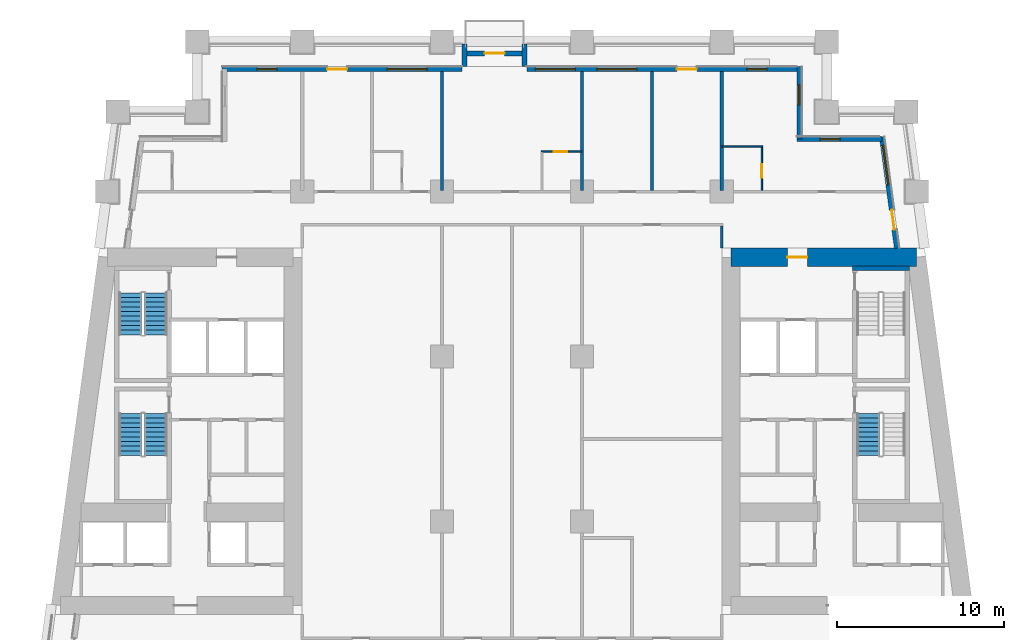
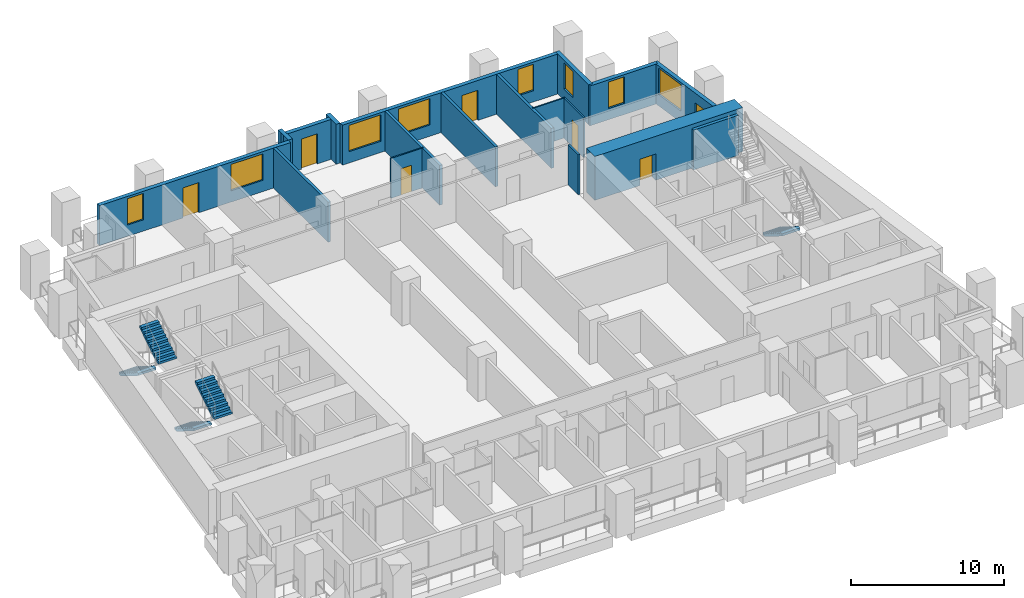
# One storey, part 7 of 13: 18 walls, 8 windows, 7 doors, 5 stair flights, 15 openings, 3 elements without a shape of their own.
"""IFC4 building model written with IfcOpenShell, lengths in metres."""

from ifc_helpers import new_model, si_unit, direction, frame, frame_2d, origin, place, context, subcontext, project, spatial, polyline, rectangle, outline, extrude, material, layer, layer_set, type_object, element, fill, aggregate, save


model = new_model("IFC4")

# Units and contexts
model_context = context("Model", 3, precision=1e-05, world=origin(), true_north=direction((0.0, 1.0)))
body_context = subcontext(model_context, "Body", "Model", "MODEL_VIEW")
ifc_project = project(units=[si_unit("LENGTHUNIT", "METRE"), si_unit("AREAUNIT", "SQUARE_METRE"), si_unit("VOLUMEUNIT", "CUBIC_METRE"), si_unit("PLANEANGLEUNIT", "RADIAN"), si_unit("MASSUNIT", "GRAM", prefix="KILO")], contexts=[model_context])

# Site, building, storey
site_placement = place(None, origin())
site = spatial("IfcSite", under=ifc_project, at=site_placement, CompositionType="ELEMENT")
building_placement = place(site_placement, origin())
building = spatial("IfcBuilding", under=site, at=building_placement, Name="Candeia Pilgrim Tower and Theatre", CompositionType="ELEMENT")
storey_placement = place(building_placement, frame((0.0, 0.0, 67.0)))
storey = spatial("IfcBuildingStorey", under=building, at=storey_placement, Name="L14", CompositionType="ELEMENT", Elevation=67.0)

# Wall, opening, door
ifc_material_1 = material(Name="Concrete C80/95", Category="concrete")
ifc_layer_1 = layer(ifc_material_1, 1.10009765625)
ifc_layer_set_1 = layer_set([ifc_layer_1], Name="Core wall 1100 C80/95")
wall_type_1 = type_object("IfcWallType", Name="Core wall 1100 C80/95", PredefinedType="SHEAR", material=ifc_layer_set_1)
wall_1_placement = place(storey_placement, frame((126.550048828125, 131.85009765625, 0.0), z_axis=(0.0, 0.0, 1.0), x_axis=(1.0, 0.0, 0.0)))
wall_1 = element("IfcWall", 1, at=wall_1_placement, inside=storey, type_object=wall_type_1, Name="Core wall E1", PredefinedType="SHEAR", context=body_context, shape_type="SweptSolid", body=[
    extrude(rectangle(XDim=11.13818359375, YDim=1.10009765625, at=frame_2d((5.569091796875, 0.0))), origin(), (0.0, 0.0, 1.0), 3.5),
])
opening_1_placement = place(wall_1_placement, frame((3.386474609375, 0.0, 0.0)))
opening_1 = element("IfcOpeningElement", 2, at=opening_1_placement, cuts=wall_1, Name="Opening L14-D057", PredefinedType="OPENING", context=body_context, shape_type="SweptSolid", body=[
    extrude(rectangle(XDim=1.199951171875, YDim=2.10009765625, at=frame_2d((0.60009765625, 1.050048828125))), frame((0.0, 0.56005859375, 0.0), z_axis=(0.0, -1.0, 0.0), x_axis=(1.0, 0.0, 0.0)), (0.0, 0.0, 1.0), 1.1201171875),
])
ifc_material_2 = material(Name="Steel fire door set", Category="steel")
door_type_1 = type_object("IfcDoorType", Name="D-1200-FD60", OperationType="NOTDEFINED", PredefinedType="DOOR", material=ifc_material_2)
door_1_placement = place(opening_1_placement, origin())
door_1 = element("IfcDoor", 3, at=door_1_placement, inside=storey, type_object=door_type_1, Name="Door L14-D057", OperationType="SINGLE_SWING_LEFT", OverallHeight=2.10009765625, OverallWidth=1.199951171875, PredefinedType="DOOR", context=body_context, shape_type="SweptSolid", body=[
    extrude(rectangle(XDim=1.199951171875, YDim=2.10009765625, at=frame_2d((0.60009765625, 1.050048828125))), frame((0.0, 0.02490234375, 0.0), z_axis=(0.0, -1.0, 0.0), x_axis=(1.0, 0.0, 0.0)), (0.0, 0.0, 1.0), 0.050048828125),
])
fill(opening_1, door_1)

# Wall, openings, door, window
ifc_material_3 = material(Name="Ceramic block masonry", Category="masonry")
ifc_layer_2 = layer(ifc_material_3, 0.300048828125)
ifc_layer_set_2 = layer_set([ifc_layer_2], Name="EW1 glazing-line wall 300")
wall_type_2 = type_object("IfcWallType", Name="EW1 glazing-line wall 300", PredefinedType="SOLIDWALL", material=ifc_layer_set_2)
wall_2_placement = place(storey_placement, frame((136.50439453125, 132.39990234375, 0.0), z_axis=(0.0, 0.0, 1.0), x_axis=(-0.133399697462, 0.99106231929, 0.0)))
wall_2 = element("IfcWall", 4, at=wall_2_placement, inside=storey, type_object=wall_type_2, Name="External wall L14-3.1", PredefinedType="SOLIDWALL", context=body_context, shape_type="SweptSolid", body=[
    extrude(rectangle(XDim=6.740478515625, YDim=0.300048828125, at=frame_2d((3.3701171875, 0.0))), origin(), (0.0, 0.0, 1.0), 3.179931640625),
])
opening_2_placement = place(wall_2_placement, frame((1.115234375, 0.0, 0.0)))
opening_2 = element("IfcOpeningElement", 5, at=opening_2_placement, cuts=wall_2, Name="Opening L14-ED159", PredefinedType="OPENING", context=body_context, shape_type="SweptSolid", body=[
    extrude(rectangle(XDim=1.199951171875, YDim=2.39990234375, at=frame_2d((0.60009765625, 1.199951171875))), frame((0.0, 0.16015625, 0.0), z_axis=(0.0, -1.0, 0.0), x_axis=(1.0, 0.0, 0.0)), (0.0, 0.0, 1.0), 0.320068359375),
])
opening_3_placement = place(wall_2_placement, frame((3.83544921875, 0.0, 0.89990234375)))
opening_3 = element("IfcOpeningElement", 6, at=opening_3_placement, cuts=wall_2, Name="Opening W-A", PredefinedType="OPENING", context=body_context, shape_type="SweptSolid", body=[
    extrude(rectangle(XDim=2.39990234375, YDim=2.10009765625, at=frame_2d((1.199951171875, 1.050048828125))), frame((0.0, 0.16015625, 0.0), z_axis=(0.0, -1.0, 0.0), x_axis=(1.0, 0.0, 0.0)), (0.0, 0.0, 1.0), 0.320068359375),
])
ifc_material_4 = material(Name="Aluminium framed glazed door", Category="aluminium")
door_type_2 = type_object("IfcDoorType", Name="Loggia door 1200x2400", OperationType="DOUBLE_DOOR_SINGLE_SWING", PredefinedType="DOOR", material=ifc_material_4)
door_2_placement = place(opening_2_placement, origin())
door_2 = element("IfcDoor", 7, at=door_2_placement, inside=storey, type_object=door_type_2, Name="Loggia door L14-ED159", OperationType="DOUBLE_DOOR_SINGLE_SWING", OverallHeight=2.39990234375, OverallWidth=1.199951171875, PredefinedType="DOOR", context=body_context, shape_type="SweptSolid", body=[
    extrude(rectangle(XDim=1.199951171875, YDim=2.39990234375, at=frame_2d((0.60009765625, 1.199951171875))), frame((0.0, 0.02490234375, 0.0), z_axis=(0.0, -1.0, 0.0), x_axis=(1.0, 0.0, 0.0)), (0.0, 0.0, 1.0), 0.050048828125),
])
fill(opening_2, door_2)
ifc_material_5 = material(Name="Aluminium framed double glazing", Category="aluminium")
window_type_1 = type_object("IfcWindowType", Name="W-A window 2400x2100", PartitioningType="DOUBLE_PANEL_VERTICAL", PredefinedType="WINDOW", material=ifc_material_5)
window_1_placement = place(opening_3_placement, origin())
window_1 = element("IfcWindow", 8, at=window_1_placement, inside=storey, type_object=window_type_1, Name="Window W-A L14", OverallHeight=2.10009765625, OverallWidth=2.39990234375, PartitioningType="SINGLE_PANEL", PredefinedType="WINDOW", context=body_context, shape_type="SweptSolid", body=[
    extrude(rectangle(XDim=2.39990234375, YDim=2.10009765625, at=frame_2d((1.199951171875, 1.050048828125))), frame((0.0, 0.030029296875, 0.0), z_axis=(0.0, -1.0, 0.0), x_axis=(1.0, 0.0, 0.0)), (0.0, 0.0, 1.0), 0.06005859375),
])
fill(opening_3, window_1)

# Wall, opening, window
wall_3_placement = place(storey_placement, frame((135.62255859375, 138.949951171875, 0.0), z_axis=(0.0, 0.0, 1.0), x_axis=(-1.0, 0.0, 0.0)))
wall_3 = element("IfcWall", 9, at=wall_3_placement, inside=storey, type_object=wall_type_2, Name="External wall L14-4.0", PredefinedType="SOLIDWALL", context=body_context, shape_type="SweptSolid", body=[
    extrude(rectangle(XDim=5.12255859375, YDim=0.300048828125, at=frame_2d((2.561279296875, 0.0))), origin(), (0.0, 0.0, 1.0), 3.179931640625),
])
opening_4_placement = place(wall_3_placement, frame((2.522705078125, 0.0, 0.89990234375)))
opening_4 = element("IfcOpeningElement", 10, at=opening_4_placement, cuts=wall_3, Name="Opening W-B", PredefinedType="OPENING", context=body_context, shape_type="SweptSolid", body=[
    extrude(rectangle(XDim=1.199951171875, YDim=2.10009765625, at=frame_2d((0.60009765625, 1.050048828125))), frame((0.0, 0.16015625, 0.0), z_axis=(0.0, -1.0, 0.0), x_axis=(1.0, 0.0, 0.0)), (0.0, 0.0, 1.0), 0.320068359375),
])
window_type_2 = type_object("IfcWindowType", Name="W-B window 1200x2100", PartitioningType="SINGLE_PANEL", PredefinedType="WINDOW", material=ifc_material_5)
window_2_placement = place(opening_4_placement, origin())
window_2 = element("IfcWindow", 11, at=window_2_placement, inside=storey, type_object=window_type_2, Name="Window W-B L14", OverallHeight=2.10009765625, OverallWidth=1.199951171875, PartitioningType="SINGLE_PANEL", PredefinedType="WINDOW", context=body_context, shape_type="SweptSolid", body=[
    extrude(rectangle(XDim=1.199951171875, YDim=2.10009765625, at=frame_2d((0.60009765625, 1.050048828125))), frame((0.0, 0.030029296875, 0.0), z_axis=(0.0, -1.0, 0.0), x_axis=(1.0, 0.0, 0.0)), (0.0, 0.0, 1.0), 0.06005859375),
])
fill(opening_4, window_2)

wall_4_placement = place(storey_placement, frame((130.64990234375, 138.949951171875, 0.0), z_axis=(0.0, 0.0, 1.0), x_axis=(0.0, 1.0, 0.0)))
wall_4 = element("IfcWall", 12, at=wall_4_placement, inside=storey, type_object=wall_type_2, Name="External wall L14-5.0", PredefinedType="SOLIDWALL", context=body_context, shape_type="SweptSolid", body=[
    extrude(rectangle(XDim=4.35009765625, YDim=0.300048828125, at=frame_2d((2.175048828125, 0.0))), origin(), (0.0, 0.0, 1.0), 3.179931640625),
])
opening_5_placement = place(wall_4_placement, frame((2.050048828125, 0.0, 0.89990234375)))
opening_5 = element("IfcOpeningElement", 13, at=opening_5_placement, cuts=wall_4, Name="Opening W-B", PredefinedType="OPENING", context=body_context, shape_type="SweptSolid", body=[
    extrude(rectangle(XDim=1.199951171875, YDim=2.10009765625, at=frame_2d((0.60009765625, 1.050048828125))), frame((0.0, 0.16015625, 0.0), z_axis=(0.0, -1.0, 0.0), x_axis=(1.0, 0.0, 0.0)), (0.0, 0.0, 1.0), 0.320068359375),
])
window_3_placement = place(opening_5_placement, origin())
window_3 = element("IfcWindow", 14, at=window_3_placement, inside=storey, type_object=window_type_2, Name="Window W-B L14", OverallHeight=2.10009765625, OverallWidth=1.199951171875, PartitioningType="SINGLE_PANEL", PredefinedType="WINDOW", context=body_context, shape_type="SweptSolid", body=[
    extrude(rectangle(XDim=1.199951171875, YDim=2.10009765625, at=frame_2d((0.60009765625, 1.050048828125))), frame((0.0, 0.030029296875, 0.0), z_axis=(0.0, -1.0, 0.0), x_axis=(1.0, 0.0, 0.0)), (0.0, 0.0, 1.0), 0.06005859375),
])
fill(opening_5, window_3)

# Wall, openings, door, windows
wall_5_placement = place(storey_placement, frame((130.64990234375, 143.14990234375, 0.0), z_axis=(0.0, 0.0, 1.0), x_axis=(-1.0, 0.0, 0.0)))
wall_5 = element("IfcWall", 15, at=wall_5_placement, inside=storey, type_object=wall_type_2, Name="External wall L14-6.0", PredefinedType="SOLIDWALL", context=body_context, shape_type="SweptSolid", body=[
    extrude(rectangle(XDim=16.349853515625, YDim=0.300048828125, at=frame_2d((8.1748046875, 0.0))), origin(), (0.0, 0.0, 1.0), 3.179931640625),
])
opening_6_placement = place(wall_5_placement, frame((1.949951171875, 0.0, 0.89990234375)))
opening_6 = element("IfcOpeningElement", 16, at=opening_6_placement, cuts=wall_5, Name="Opening W-B", PredefinedType="OPENING", context=body_context, shape_type="SweptSolid", body=[
    extrude(rectangle(XDim=1.199951171875, YDim=2.10009765625, at=frame_2d((0.60009765625, 1.050048828125))), frame((0.0, 0.16015625, 0.0), z_axis=(0.0, -1.0, 0.0), x_axis=(1.0, 0.0, 0.0)), (0.0, 0.0, 1.0), 0.320068359375),
])
opening_7_placement = place(wall_5_placement, frame((6.14990234375, 0.0, 0.0)))
opening_7 = element("IfcOpeningElement", 17, at=opening_7_placement, cuts=wall_5, Name="Opening L14-ED160", PredefinedType="OPENING", context=body_context, shape_type="SweptSolid", body=[
    extrude(rectangle(XDim=1.199951171875, YDim=2.39990234375, at=frame_2d((0.60009765625, 1.199951171875))), frame((0.0, 0.16015625, 0.0), z_axis=(0.0, -1.0, 0.0), x_axis=(1.0, 0.0, 0.0)), (0.0, 0.0, 1.0), 0.320068359375),
])
opening_8_placement = place(wall_5_placement, frame((9.75, 0.0, 0.89990234375)))
opening_8 = element("IfcOpeningElement", 18, at=opening_8_placement, cuts=wall_5, Name="Opening W-A", PredefinedType="OPENING", context=body_context, shape_type="SweptSolid", body=[
    extrude(rectangle(XDim=2.39990234375, YDim=2.10009765625, at=frame_2d((1.199951171875, 1.050048828125))), frame((0.0, 0.16015625, 0.0), z_axis=(0.0, -1.0, 0.0), x_axis=(1.0, 0.0, 0.0)), (0.0, 0.0, 1.0), 0.320068359375),
])
opening_9_placement = place(wall_5_placement, frame((13.449951171875, 0.0, 0.89990234375)))
opening_9 = element("IfcOpeningElement", 19, at=opening_9_placement, cuts=wall_5, Name="Opening W-A", PredefinedType="OPENING", context=body_context, shape_type="SweptSolid", body=[
    extrude(rectangle(XDim=2.39990234375, YDim=2.10009765625, at=frame_2d((1.199951171875, 1.050048828125))), frame((0.0, 0.16015625, 0.0), z_axis=(0.0, -1.0, 0.0), x_axis=(1.0, 0.0, 0.0)), (0.0, 0.0, 1.0), 0.320068359375),
])
door_3_placement = place(opening_7_placement, origin())
door_3 = element("IfcDoor", 20, at=door_3_placement, inside=storey, type_object=door_type_2, Name="Loggia door L14-ED160", OperationType="DOUBLE_DOOR_SINGLE_SWING", OverallHeight=2.39990234375, OverallWidth=1.199951171875, PredefinedType="DOOR", context=body_context, shape_type="SweptSolid", body=[
    extrude(rectangle(XDim=1.199951171875, YDim=2.39990234375, at=frame_2d((0.60009765625, 1.199951171875))), frame((0.0, 0.02490234375, 0.0), z_axis=(0.0, -1.0, 0.0), x_axis=(1.0, 0.0, 0.0)), (0.0, 0.0, 1.0), 0.050048828125),
])
fill(opening_7, door_3)
window_4_placement = place(opening_8_placement, origin())
window_4 = element("IfcWindow", 21, at=window_4_placement, inside=storey, type_object=window_type_1, Name="Window W-A L14", OverallHeight=2.10009765625, OverallWidth=2.39990234375, PartitioningType="SINGLE_PANEL", PredefinedType="WINDOW", context=body_context, shape_type="SweptSolid", body=[
    extrude(rectangle(XDim=2.39990234375, YDim=2.10009765625, at=frame_2d((1.199951171875, 1.050048828125))), frame((0.0, 0.030029296875, 0.0), z_axis=(0.0, -1.0, 0.0), x_axis=(1.0, 0.0, 0.0)), (0.0, 0.0, 1.0), 0.06005859375),
])
fill(opening_8, window_4)
window_5_placement = place(opening_9_placement, origin())
window_5 = element("IfcWindow", 22, at=window_5_placement, inside=storey, type_object=window_type_1, Name="Window W-A L14", OverallHeight=2.10009765625, OverallWidth=2.39990234375, PartitioningType="SINGLE_PANEL", PredefinedType="WINDOW", context=body_context, shape_type="SweptSolid", body=[
    extrude(rectangle(XDim=2.39990234375, YDim=2.10009765625, at=frame_2d((1.199951171875, 1.050048828125))), frame((0.0, 0.030029296875, 0.0), z_axis=(0.0, -1.0, 0.0), x_axis=(1.0, 0.0, 0.0)), (0.0, 0.0, 1.0), 0.06005859375),
])
fill(opening_9, window_5)
window_6_placement = place(opening_6_placement, origin())
window_6 = element("IfcWindow", 23, at=window_6_placement, inside=storey, type_object=window_type_2, Name="Window W-B L14", OverallHeight=2.10009765625, OverallWidth=1.199951171875, PartitioningType="SINGLE_PANEL", PredefinedType="WINDOW", context=body_context, shape_type="SweptSolid", body=[
    extrude(rectangle(XDim=1.199951171875, YDim=2.10009765625, at=frame_2d((0.60009765625, 1.050048828125))), frame((0.0, 0.030029296875, 0.0), z_axis=(0.0, -1.0, 0.0), x_axis=(1.0, 0.0, 0.0)), (0.0, 0.0, 1.0), 0.06005859375),
])
fill(opening_6, window_6)

wall_6_placement = place(storey_placement, frame((110.39990234375, 143.14990234375, 0.0), z_axis=(0.0, 0.0, 1.0), x_axis=(-1.0, 0.0, 0.0)))
wall_6 = element("IfcWall", 24, at=wall_6_placement, inside=storey, type_object=wall_type_2, Name="External wall L14-6.1", PredefinedType="SOLIDWALL", context=body_context, shape_type="SweptSolid", body=[
    extrude(rectangle(XDim=14.39990234375, YDim=0.300048828125, at=frame_2d((7.199951171875, 0.0))), origin(), (0.0, 0.0, 1.0), 3.179931640625),
])
opening_10_placement = place(wall_6_placement, frame((2.10009765625, 0.0, 0.89990234375)))
opening_10 = element("IfcOpeningElement", 25, at=opening_10_placement, cuts=wall_6, Name="Opening W-A", PredefinedType="OPENING", context=body_context, shape_type="SweptSolid", body=[
    extrude(rectangle(XDim=2.39990234375, YDim=2.10009765625, at=frame_2d((1.199951171875, 1.050048828125))), frame((0.0, 0.16015625, 0.0), z_axis=(0.0, -1.0, 0.0), x_axis=(1.0, 0.0, 0.0)), (0.0, 0.0, 1.0), 0.320068359375),
])
opening_11_placement = place(wall_6_placement, frame((6.89990234375, 0.0, 0.0)))
opening_11 = element("IfcOpeningElement", 26, at=opening_11_placement, cuts=wall_6, Name="Opening L14-ED161", PredefinedType="OPENING", context=body_context, shape_type="SweptSolid", body=[
    extrude(rectangle(XDim=1.199951171875, YDim=2.39990234375, at=frame_2d((0.60009765625, 1.199951171875))), frame((0.0, 0.16015625, 0.0), z_axis=(0.0, -1.0, 0.0), x_axis=(1.0, 0.0, 0.0)), (0.0, 0.0, 1.0), 0.320068359375),
])
opening_12_placement = place(wall_6_placement, frame((11.10009765625, 0.0, 0.89990234375)))
opening_12 = element("IfcOpeningElement", 27, at=opening_12_placement, cuts=wall_6, Name="Opening W-B", PredefinedType="OPENING", context=body_context, shape_type="SweptSolid", body=[
    extrude(rectangle(XDim=1.199951171875, YDim=2.10009765625, at=frame_2d((0.60009765625, 1.050048828125))), frame((0.0, 0.16015625, 0.0), z_axis=(0.0, -1.0, 0.0), x_axis=(1.0, 0.0, 0.0)), (0.0, 0.0, 1.0), 0.320068359375),
])
door_4_placement = place(opening_11_placement, origin())
door_4 = element("IfcDoor", 28, at=door_4_placement, inside=storey, type_object=door_type_2, Name="Loggia door L14-ED161", OperationType="DOUBLE_DOOR_SINGLE_SWING", OverallHeight=2.39990234375, OverallWidth=1.199951171875, PredefinedType="DOOR", context=body_context, shape_type="SweptSolid", body=[
    extrude(rectangle(XDim=1.199951171875, YDim=2.39990234375, at=frame_2d((0.60009765625, 1.199951171875))), frame((0.0, 0.02490234375, 0.0), z_axis=(0.0, -1.0, 0.0), x_axis=(1.0, 0.0, 0.0)), (0.0, 0.0, 1.0), 0.050048828125),
])
fill(opening_11, door_4)
window_7_placement = place(opening_10_placement, origin())
window_7 = element("IfcWindow", 29, at=window_7_placement, inside=storey, type_object=window_type_1, Name="Window W-A L14", OverallHeight=2.10009765625, OverallWidth=2.39990234375, PartitioningType="SINGLE_PANEL", PredefinedType="WINDOW", context=body_context, shape_type="SweptSolid", body=[
    extrude(rectangle(XDim=2.39990234375, YDim=2.10009765625, at=frame_2d((1.199951171875, 1.050048828125))), frame((0.0, 0.030029296875, 0.0), z_axis=(0.0, -1.0, 0.0), x_axis=(1.0, 0.0, 0.0)), (0.0, 0.0, 1.0), 0.06005859375),
])
fill(opening_10, window_7)
window_8_placement = place(opening_12_placement, origin())
window_8 = element("IfcWindow", 30, at=window_8_placement, inside=storey, type_object=window_type_2, Name="Window W-B L14", OverallHeight=2.10009765625, OverallWidth=1.199951171875, PartitioningType="SINGLE_PANEL", PredefinedType="WINDOW", context=body_context, shape_type="SweptSolid", body=[
    extrude(rectangle(XDim=1.199951171875, YDim=2.10009765625, at=frame_2d((0.60009765625, 1.050048828125))), frame((0.0, 0.030029296875, 0.0), z_axis=(0.0, -1.0, 0.0), x_axis=(1.0, 0.0, 0.0)), (0.0, 0.0, 1.0), 0.06005859375),
])
fill(opening_12, window_8)

# Walls
ifc_layer_3 = layer(ifc_material_3, 0.300048828125)
ifc_layer_set_3 = layer_set([ifc_layer_3], Name="EW2 entrance infill wall 300")
wall_type_3 = type_object("IfcWallType", Name="EW2 entrance infill wall 300", PredefinedType="SOLIDWALL", material=ifc_layer_set_3)
for number, where, z_axis, x_axis, name in (
    (31, (114.14990234375, 143.300048828125, 0.0), (0.0, 0.0, 1.0), (0.0, 1.0, 0.0), "Alcove wall L14"),
    (32, (110.550048828125, 143.300048828125, 0.0), (0.0, 0.0, 1.0), (0.0, 1.0, 0.0), "Alcove wall L14"),
):
    element("IfcWall", number, at=place(storey_placement, frame(where, z_axis=z_axis, x_axis=x_axis)), inside=storey, type_object=wall_type_3, Name=name, PredefinedType="SOLIDWALL", context=body_context, shape_type="SweptSolid", body=[
        extrude(rectangle(XDim=1.349853515625, YDim=0.300048828125, at=frame_2d((0.6748046875, 0.0))), origin(), (0.0, 0.0, 1.0), 3.179931640625),
    ])

# Wall, opening, door
wall_7_placement = place(storey_placement, frame((114.300048828125, 144.10009765625, 0.0), z_axis=(0.0, 0.0, 1.0), x_axis=(-1.0, 0.0, 0.0)))
wall_7 = element("IfcWall", 33, at=wall_7_placement, inside=storey, type_object=wall_type_3, Name="Alcove wall L14", PredefinedType="SOLIDWALL", context=body_context, shape_type="SweptSolid", body=[
    extrude(rectangle(XDim=3.900146484375, YDim=0.300048828125, at=frame_2d((1.9501953125, 0.0))), origin(), (0.0, 0.0, 1.0), 3.179931640625),
])
opening_13_placement = place(wall_7_placement, frame((1.35009765625, 0.0, 0.0)))
opening_13 = element("IfcOpeningElement", 34, at=opening_13_placement, cuts=wall_7, Name="Opening L14-ED162", PredefinedType="OPENING", context=body_context, shape_type="SweptSolid", body=[
    extrude(rectangle(XDim=1.199951171875, YDim=2.39990234375, at=frame_2d((0.60009765625, 1.199951171875))), frame((0.0, 0.16015625, 0.0), z_axis=(0.0, -1.0, 0.0), x_axis=(1.0, 0.0, 0.0)), (0.0, 0.0, 1.0), 0.320068359375),
])
door_5_placement = place(opening_13_placement, origin())
door_5 = element("IfcDoor", 35, at=door_5_placement, inside=storey, type_object=door_type_2, Name="Balcony door L14-ED162", OperationType="DOUBLE_DOOR_SINGLE_SWING", OverallHeight=2.39990234375, OverallWidth=1.199951171875, PredefinedType="DOOR", context=body_context, shape_type="SweptSolid", body=[
    extrude(rectangle(XDim=1.199951171875, YDim=2.39990234375, at=frame_2d((0.60009765625, 1.199951171875))), frame((0.0, 0.02490234375, 0.0), z_axis=(0.0, -1.0, 0.0), x_axis=(1.0, 0.0, 0.0)), (0.0, 0.0, 1.0), 0.050048828125),
])
fill(opening_13, door_5)

ifc_material_6 = material(Name="Gypsum board partition on steel studs", Category="steel")
ifc_layer_4 = layer(ifc_material_6, 0.10009765625)
ifc_layer_set_4 = layer_set([ifc_layer_4], Name="PW-100 room partition")
wall_type_4 = type_object("IfcWallType", Name="PW-100 room partition", PredefinedType="PARTITIONING", material=ifc_layer_set_4)
wall_8_placement = place(storey_placement, frame((115.14990234375, 138.199951171875, 0.0), z_axis=(0.0, 0.0, 1.0), x_axis=(1.0, 0.0, 0.0)))
wall_8 = element("IfcWall", 36, at=wall_8_placement, inside=storey, type_object=wall_type_4, Name="Room partition L14-041", PredefinedType="PARTITIONING", context=body_context, shape_type="SweptSolid", body=[
    extrude(rectangle(XDim=2.4501953125, YDim=0.10009765625, at=frame_2d((1.22509765625, 0.0))), origin(), (0.0, 0.0, 1.0), 3.179931640625),
])
opening_14_placement = place(wall_8_placement, frame((0.760009765625, 0.0, 0.0)))
opening_14 = element("IfcOpeningElement", 37, at=opening_14_placement, cuts=wall_8, Name="Opening L14-D043", PredefinedType="OPENING", context=body_context, shape_type="SweptSolid", body=[
    extrude(rectangle(XDim=0.800048828125, YDim=2.10009765625, at=frame_2d((0.39990234375, 1.050048828125))), frame((0.0, 0.06005859375, 0.0), z_axis=(0.0, -1.0, 0.0), x_axis=(1.0, 0.0, 0.0)), (0.0, 0.0, 1.0), 0.1201171875),
])
ifc_material_7 = material(Name="Timber door leaf", Category="wood")
door_type_3 = type_object("IfcDoorType", Name="D-800", OperationType="NOTDEFINED", PredefinedType="DOOR", material=ifc_material_7)
door_6_placement = place(opening_14_placement, origin())
door_6 = element("IfcDoor", 38, at=door_6_placement, inside=storey, type_object=door_type_3, Name="Door L14-D043", OperationType="SINGLE_SWING_LEFT", OverallHeight=2.10009765625, OverallWidth=0.800048828125, PredefinedType="DOOR", context=body_context, shape_type="SweptSolid", body=[
    extrude(rectangle(XDim=0.800048828125, YDim=2.10009765625, at=frame_2d((0.39990234375, 1.050048828125))), frame((0.0, 0.02490234375, 0.0), z_axis=(0.0, -1.0, 0.0), x_axis=(1.0, 0.0, 0.0)), (0.0, 0.0, 1.0), 0.050048828125),
])
fill(opening_14, door_6)

# Wall
wall_9_placement = place(storey_placement, frame((126.0, 138.5, 0.0), z_axis=(0.0, 0.0, 1.0), x_axis=(1.0, 0.0, 0.0)))
element("IfcWall", 39, at=wall_9_placement, inside=storey, type_object=wall_type_4, Name="Room partition L14-042", PredefinedType="PARTITIONING", context=body_context, shape_type="SweptSolid", body=[
    extrude(rectangle(XDim=2.449951171875, YDim=0.10009765625, at=frame_2d((1.22509765625, 0.0))), origin(), (0.0, 0.0, 1.0), 3.179931640625),
])

# Wall, opening, door
wall_10_placement = place(storey_placement, frame((128.39990234375, 135.875, 0.0), z_axis=(0.0, 0.0, 1.0), x_axis=(0.0, 1.0, 0.0)))
wall_10 = element("IfcWall", 40, at=wall_10_placement, inside=storey, type_object=wall_type_4, Name="Room partition L14-093", PredefinedType="PARTITIONING", context=body_context, shape_type="SweptSolid", body=[
    extrude(rectangle(XDim=2.574951171875, YDim=0.10009765625, at=frame_2d((1.28759765625, 0.0))), origin(), (0.0, 0.0, 1.0), 3.179931640625),
])
opening_15_placement = place(wall_10_placement, frame((0.7548828125, 0.0, 0.0)))
opening_15 = element("IfcOpeningElement", 41, at=opening_15_placement, cuts=wall_10, Name="Opening L14-D047", PredefinedType="OPENING", context=body_context, shape_type="SweptSolid", body=[
    extrude(rectangle(XDim=0.800048828125, YDim=2.10009765625, at=frame_2d((0.39990234375, 1.050048828125))), frame((0.0, 0.06005859375, 0.0), z_axis=(0.0, -1.0, 0.0), x_axis=(1.0, 0.0, 0.0)), (0.0, 0.0, 1.0), 0.1201171875),
])
door_7_placement = place(opening_15_placement, origin())
door_7 = element("IfcDoor", 42, at=door_7_placement, inside=storey, type_object=door_type_3, Name="Door L14-D047", OperationType="SINGLE_SWING_LEFT", OverallHeight=2.10009765625, OverallWidth=0.800048828125, PredefinedType="DOOR", context=body_context, shape_type="SweptSolid", body=[
    extrude(rectangle(XDim=0.800048828125, YDim=2.10009765625, at=frame_2d((0.39990234375, 1.050048828125))), frame((0.0, 0.02490234375, 0.0), z_axis=(0.0, -1.0, 0.0), x_axis=(1.0, 0.0, 0.0)), (0.0, 0.0, 1.0), 0.050048828125),
])
fill(opening_15, door_7)

# Walls
ifc_layer_5 = layer(ifc_material_6, 0.14990234375)
ifc_layer_set_5 = layer_set([ifc_layer_5], Name="PW-150 unit wall")
wall_type_5 = type_object("IfcWallType", Name="PW-150 unit wall", PredefinedType="PARTITIONING", material=ifc_layer_set_5)
wall_11_placement = place(storey_placement, frame((126.0, 132.39990234375, 0.0), z_axis=(0.0, 0.0, 1.0), x_axis=(0.0, 1.0, 0.0)))
element("IfcWall", 43, at=wall_11_placement, inside=storey, type_object=wall_type_5, Name="Unit wall L14-091", PredefinedType="PARTITIONING", context=body_context, shape_type="SweptSolid", body=[
    extrude(rectangle(XDim=1.3251953125, YDim=0.14990234375, at=frame_2d((0.66259765625, 0.0))), origin(), (0.0, 0.0, 1.0), 3.179931640625),
])
ifc_layer_6 = layer(ifc_material_6, 0.199951171875)
ifc_layer_set_6 = layer_set([ifc_layer_6], Name="PW-200 party wall")
wall_type_6 = type_object("IfcWallType", Name="PW-200 party wall", PredefinedType="PARTITIONING", material=ifc_layer_set_6)
for number, where, z_axis, x_axis, name in (
    (44, (109.199951171875, 135.875, 0.0), (0.0, 0.0, 1.0), (0.0, 1.0, 0.0), "Party wall L14-077"),
    (45, (117.60009765625, 135.875, 0.0), (0.0, 0.0, 1.0), (0.0, 1.0, 0.0), "Party wall L14-085"),
    (46, (121.800048828125, 135.875, 0.0), (0.0, 0.0, 1.0), (0.0, 1.0, 0.0), "Party wall L14-087"),
    (47, (126.0, 135.875, 0.0), (0.0, 0.0, 1.0), (0.0, 1.0, 0.0), "Party wall L14-089"),
):
    element("IfcWall", number, at=place(storey_placement, frame(where, z_axis=z_axis, x_axis=x_axis)), inside=storey, type_object=wall_type_6, Name=name, PredefinedType="PARTITIONING", context=body_context, shape_type="SweptSolid", body=[
        extrude(rectangle(XDim=7.135009765625, YDim=0.199951171875, at=frame_2d((3.5673828125, 0.0))), origin(), (0.0, 0.0, 1.0), 3.179931640625),
    ])
ifc_material_8 = material(Name="Concrete C40/50", Category="concrete")
ifc_layer_7 = layer(ifc_material_8, 0.25)
ifc_layer_set_7 = layer_set([ifc_layer_7], Name="SW-250 stair wall")
wall_type_7 = type_object("IfcWallType", Name="SW-250 stair wall", PredefinedType="PARTITIONING", material=ifc_layer_set_7)
wall_12_placement = place(storey_placement, frame((133.847900390625, 131.199951171875, 0.0), z_axis=(0.0, 0.0, 1.0), x_axis=(1.0, 0.0, 0.0)))
element("IfcWall", 48, at=wall_12_placement, inside=storey, type_object=wall_type_7, Name="Stair wall L14-036", PredefinedType="PARTITIONING", context=body_context, shape_type="SweptSolid", body=[
    extrude(rectangle(XDim=3.400146484375, YDim=0.25, at=frame_2d((1.7001953125, 0.0))), origin(), (0.0, 0.0, 1.0), 3.179931640625),
])

# Stair, stair flights
stair_type = type_object("IfcStairType", Name="ST-TWR dog-leg escape stair", PredefinedType="HALF_TURN_STAIR", material=ifc_material_8)
stair_1_placement = place(storey_placement, origin())
stair_1 = element("IfcStair", 49, at=stair_1_placement, inside=storey, type_object=stair_type, Name="L14 Escape stair ST1", PredefinedType="HALF_TURN_STAIR")
stair_flight_type = type_object("IfcStairFlightType", Name="SFL-RC stair flight", PredefinedType="STRAIGHT", material=ifc_material_8)
stair_flight_1_placement = place(storey_placement, frame((90.47705078125, 122.47509765625, 0.0), z_axis=(0.0, 0.0, 1.0), x_axis=(0.0, -1.0, 0.0)))
stair_flight_1 = element("IfcStairFlight", 50, at=stair_flight_1_placement, type_object=stair_flight_type, Name="ST1 flight 1", NumberOfRisers=10, NumberOfTreads=9, PredefinedType="STRAIGHT", RiserHeight=0.175, TreadLength=0.28, context=body_context, shape_type="SweptSolid", body=[
    extrude(outline(polyline([(0.0, 0.0), (0.0, 0.175048828125), (0.280029296875, 0.175048828125), (0.280029296875, 0.35009765625), (0.56005859375, 0.35009765625), (0.56005859375, 0.52490234375), (0.840087890625, 0.52490234375), (0.840087890625, 0.699951171875), (1.1201171875, 0.699951171875), (1.1201171875, 0.875), (1.39990234375, 0.875), (1.39990234375, 1.050048828125), (1.679931640625, 1.050048828125), (1.679931640625, 1.22509765625), (1.9599609375, 1.22509765625), (1.9599609375, 1.39990234375), (2.239990234375, 1.39990234375), (2.239990234375, 1.574951171875), (2.52001953125, 1.574951171875), (2.52001953125, 1.75), (2.52001953125, 1.398193359375), (0.28271484375, 0.0), (0.0, 0.0)])), frame((0.0, 0.675048828125, 0.0), z_axis=(0.0, -1.0, 0.0), x_axis=(1.0, 0.0, 0.0)), (0.0, 0.0, 1.0), 1.35009765625),
])
stair_flight_2_placement = place(storey_placement, frame((92.027099609375, 119.955078125, 1.75), z_axis=(0.0, 0.0, 1.0), x_axis=(0.0, 1.0, 0.0)))
stair_flight_2 = element("IfcStairFlight", 51, at=stair_flight_2_placement, type_object=stair_flight_type, Name="ST1 flight 2", NumberOfRisers=10, NumberOfTreads=9, PredefinedType="STRAIGHT", RiserHeight=0.175, TreadLength=0.28, context=body_context, shape_type="SweptSolid", body=[
    extrude(outline(polyline([(0.0, 0.0), (0.0, 0.175048828125), (0.280029296875, 0.175048828125), (0.280029296875, 0.35009765625), (0.56005859375, 0.35009765625), (0.56005859375, 0.52490234375), (0.840087890625, 0.52490234375), (0.840087890625, 0.699951171875), (1.1201171875, 0.699951171875), (1.1201171875, 0.875), (1.39990234375, 0.875), (1.39990234375, 1.050048828125), (1.679931640625, 1.050048828125), (1.679931640625, 1.22509765625), (1.9599609375, 1.22509765625), (1.9599609375, 1.39990234375), (2.239990234375, 1.39990234375), (2.239990234375, 1.574951171875), (2.52001953125, 1.574951171875), (2.52001953125, 1.75), (2.52001953125, 1.398193359375), (0.28271484375, 0.0), (0.0, 0.0)])), frame((0.0, 0.675048828125, 0.0), z_axis=(0.0, -1.0, 0.0), x_axis=(1.0, 0.0, 0.0)), (0.0, 0.0, 1.0), 1.35009765625),
])
aggregate(stair_1, [stair_flight_1, stair_flight_2])

stair_2_placement = place(storey_placement, origin())
stair_2 = element("IfcStair", 52, at=stair_2_placement, inside=storey, type_object=stair_type, Name="L14 Escape stair ST2", PredefinedType="HALF_TURN_STAIR")
stair_flight_3_placement = place(storey_placement, frame((90.47705078125, 129.72509765625, 0.0), z_axis=(0.0, 0.0, 1.0), x_axis=(0.0, -1.0, 0.0)))
stair_flight_3 = element("IfcStairFlight", 53, at=stair_flight_3_placement, type_object=stair_flight_type, Name="ST2 flight 1", NumberOfRisers=10, NumberOfTreads=9, PredefinedType="STRAIGHT", RiserHeight=0.175, TreadLength=0.28, context=body_context, shape_type="SweptSolid", body=[
    extrude(outline(polyline([(0.0, 0.0), (0.0, 0.175048828125), (0.280029296875, 0.175048828125), (0.280029296875, 0.35009765625), (0.56005859375, 0.35009765625), (0.56005859375, 0.52490234375), (0.840087890625, 0.52490234375), (0.840087890625, 0.699951171875), (1.1201171875, 0.699951171875), (1.1201171875, 0.875), (1.39990234375, 0.875), (1.39990234375, 1.050048828125), (1.679931640625, 1.050048828125), (1.679931640625, 1.22509765625), (1.9599609375, 1.22509765625), (1.9599609375, 1.39990234375), (2.239990234375, 1.39990234375), (2.239990234375, 1.574951171875), (2.52001953125, 1.574951171875), (2.52001953125, 1.75), (2.52001953125, 1.398193359375), (0.28271484375, 0.0), (0.0, 0.0)])), frame((0.0, 0.675048828125, 0.0), z_axis=(0.0, -1.0, 0.0), x_axis=(1.0, 0.0, 0.0)), (0.0, 0.0, 1.0), 1.35009765625),
])
stair_flight_4_placement = place(storey_placement, frame((92.027099609375, 127.205078125, 1.75), z_axis=(0.0, 0.0, 1.0), x_axis=(0.0, 1.0, 0.0)))
stair_flight_4 = element("IfcStairFlight", 54, at=stair_flight_4_placement, type_object=stair_flight_type, Name="ST2 flight 2", NumberOfRisers=10, NumberOfTreads=9, PredefinedType="STRAIGHT", RiserHeight=0.175, TreadLength=0.28, context=body_context, shape_type="SweptSolid", body=[
    extrude(outline(polyline([(0.0, 0.0), (0.0, 0.175048828125), (0.280029296875, 0.175048828125), (0.280029296875, 0.35009765625), (0.56005859375, 0.35009765625), (0.56005859375, 0.52490234375), (0.840087890625, 0.52490234375), (0.840087890625, 0.699951171875), (1.1201171875, 0.699951171875), (1.1201171875, 0.875), (1.39990234375, 0.875), (1.39990234375, 1.050048828125), (1.679931640625, 1.050048828125), (1.679931640625, 1.22509765625), (1.9599609375, 1.22509765625), (1.9599609375, 1.39990234375), (2.239990234375, 1.39990234375), (2.239990234375, 1.574951171875), (2.52001953125, 1.574951171875), (2.52001953125, 1.75), (2.52001953125, 1.398193359375), (0.28271484375, 0.0), (0.0, 0.0)])), frame((0.0, 0.675048828125, 0.0), z_axis=(0.0, -1.0, 0.0), x_axis=(1.0, 0.0, 0.0)), (0.0, 0.0, 1.0), 1.35009765625),
])
aggregate(stair_2, [stair_flight_3, stair_flight_4])

# Stair, stair flight
stair_3_placement = place(storey_placement, origin())
stair_3 = element("IfcStair", 55, at=stair_3_placement, inside=storey, type_object=stair_type, Name="L14 Escape stair ST3", PredefinedType="HALF_TURN_STAIR")
stair_flight_5_placement = place(storey_placement, frame((134.77294921875, 122.47509765625, 0.0), z_axis=(0.0, 0.0, 1.0), x_axis=(0.0, -1.0, 0.0)))
stair_flight_5 = element("IfcStairFlight", 56, at=stair_flight_5_placement, type_object=stair_flight_type, Name="ST3 flight 1", NumberOfRisers=10, NumberOfTreads=9, PredefinedType="STRAIGHT", RiserHeight=0.175, TreadLength=0.28, context=body_context, shape_type="SweptSolid", body=[
    extrude(outline(polyline([(0.0, 0.0), (0.0, 0.175048828125), (0.280029296875, 0.175048828125), (0.280029296875, 0.35009765625), (0.56005859375, 0.35009765625), (0.56005859375, 0.52490234375), (0.840087890625, 0.52490234375), (0.840087890625, 0.699951171875), (1.1201171875, 0.699951171875), (1.1201171875, 0.875), (1.39990234375, 0.875), (1.39990234375, 1.050048828125), (1.679931640625, 1.050048828125), (1.679931640625, 1.22509765625), (1.9599609375, 1.22509765625), (1.9599609375, 1.39990234375), (2.239990234375, 1.39990234375), (2.239990234375, 1.574951171875), (2.52001953125, 1.574951171875), (2.52001953125, 1.75), (2.52001953125, 1.398193359375), (0.28271484375, 0.0), (0.0, 0.0)])), frame((0.0, 0.675048828125, 0.0), z_axis=(0.0, -1.0, 0.0), x_axis=(1.0, 0.0, 0.0)), (0.0, 0.0, 1.0), 1.35009765625),
])
aggregate(stair_3, [stair_flight_5])

save(model, "model.ifc")
